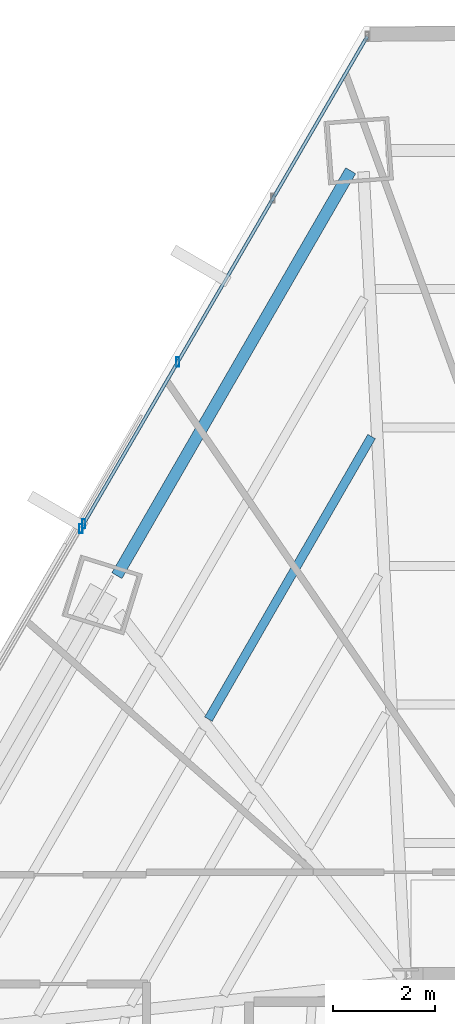
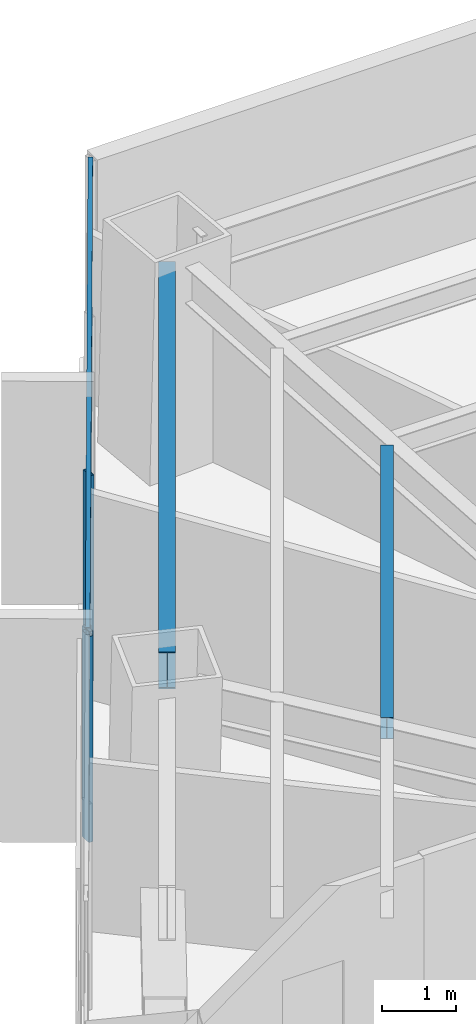
# One storey, part 24 of 36: 5 members, 2 beams, 2 elements without a shape of their own.
"""IFC4 building model written with IfcOpenShell, lengths in metres."""

from ifc_helpers import new_model, si_unit, direction, frame, origin, origin_2d, place, context, subcontext, project, spatial, hollow_rectangle, i_section, extrude, source, transform, mapped, material, material_profile, profile_set, type_object, type_shapes, element, aggregate, save


model = new_model("IFC4")

# Units and contexts
model_context = context("Model", 3, precision=1e-05, world=origin(), true_north=direction((0.0, 1.0)))
body_context = subcontext(model_context, "Body", "Model", "MODEL_VIEW")
ifc_project = project(units=[si_unit("LENGTHUNIT", "METRE"), si_unit("AREAUNIT", "SQUARE_METRE"), si_unit("VOLUMEUNIT", "CUBIC_METRE"), si_unit("PLANEANGLEUNIT", "RADIAN"), si_unit("MASSUNIT", "GRAM", prefix="KILO")], contexts=[model_context])

# Site, building, storey
site_placement = place(None, origin())
site = spatial("IfcSite", under=ifc_project, at=site_placement, CompositionType="ELEMENT")
building_placement = place(site_placement, origin())
building = spatial("IfcBuilding", under=site, at=building_placement, Name="Caelisora Broadcast Tower", CompositionType="ELEMENT")
storey_placement = place(building_placement, frame((0.0, 0.0, 64.10009765625)))
storey = spatial("IfcBuildingStorey", under=building, at=storey_placement, Name="L16", CompositionType="ELEMENT", Elevation=64.10009765625)

# Beams
ifc_material_1 = material(Name="Steel Grade 350 (AS/NZS 3679.1)", Category="steel")
ifc_material_profile_1 = material_profile(ifc_material_1, i_section(OverallWidth=0.22900390625, OverallDepth=0.611572265625, WebThickness=0.011962890625, FlangeThickness=0.01953125, at=origin_2d()), Name="Steel Grade 350 (AS/NZS 3679.1)")
ifc_profile_set_1 = profile_set([ifc_material_profile_1], Name="Steel Grade 350 (AS/NZS 3679.1)")
beam_type_1 = type_object("IfcBeamType", Name="PG03", PredefinedType="BEAM", material=ifc_profile_set_1)
shared_shape_1 = source(origin(), body_context, "Body", "SweptSolid", [
    extrude(i_section(OverallWidth=0.22900390625, OverallDepth=0.611572265625, WebThickness=0.011962890625, FlangeThickness=0.01953125, at=origin_2d()), origin(), (0.0, 0.0, 1.0), 9.1953125),
])
type_shapes(beam_type_1, [shared_shape_1])
beam_1_placement = place(storey_placement, frame((29.41748046875, 45.9443359375, 3.093994140625), z_axis=(-0.499999779356, -0.866025531173, 0.0), x_axis=(0.866025531173, -0.499999779356, 0.0)))
element("IfcBeam", 1, at=beam_1_placement, inside=storey, type_object=beam_type_1, Name="L16 beam PG03", PredefinedType="BEAM", context=body_context, shape_type="MappedRepresentation", body=[
    mapped(shared_shape_1, transform((0.0, 0.0, 0.0), scale=1.0)),
])
ifc_material_profile_2 = material_profile(ifc_material_1, i_section(OverallWidth=0.172119140625, OverallDepth=0.358642578125, WebThickness=0.008056640625, FlangeThickness=0.012939453125, at=origin_2d()), Name="Steel Grade 350 (AS/NZS 3679.1)")
ifc_profile_set_2 = profile_set([ifc_material_profile_2], Name="Steel Grade 350 (AS/NZS 3679.1)")
beam_type_2 = type_object("IfcBeamType", Name="SB02", PredefinedType="JOIST", material=ifc_profile_set_2)
shared_shape_2 = source(origin(), body_context, "Body", "SweptSolid", [
    extrude(i_section(OverallWidth=0.172119140625, OverallDepth=0.358642578125, WebThickness=0.008056640625, FlangeThickness=0.012939453125, at=origin_2d()), origin(), (0.0, 0.0, 1.0), 6.417236328125),
])
type_shapes(beam_type_2, [shared_shape_2])
beam_2_placement = place(storey_placement, frame((29.82861328125, 40.71630859375, 3.220703125), z_axis=(-0.500022136814, -0.866012622712, 0.0), x_axis=(0.866012622712, -0.500022136814, 0.0)))
element("IfcBeam", 2, at=beam_2_placement, inside=storey, type_object=beam_type_2, Name="L16 beam SB02", PredefinedType="JOIST", context=body_context, shape_type="MappedRepresentation", body=[
    mapped(shared_shape_2, transform((0.0, 0.0, 0.0), scale=1.0)),
])

# Curtain wall, member
ifc_material_2 = material(Name="Unitised Aluminium Insulated Shadow-Box Spandrel Curtain Wall", Category="aluminium")
curtain_wall_type_1 = type_object("IfcCurtainWallType", Name="CW-SP1", PredefinedType="NOTDEFINED", material=ifc_material_2)
curtain_wall_1_placement = place(storey_placement, origin())
curtain_wall_1 = element("IfcCurtainWall", 3, at=curtain_wall_1_placement, inside=storey, type_object=curtain_wall_type_1, Name="L16 curtain wall CW-SP1", PredefinedType="NOTDEFINED")
ifc_material_3 = material(Name="Aluminium 6063-T6 Anodised Terracotta Bronze", Category="aluminium")
ifc_material_profile_3 = material_profile(ifc_material_3, hollow_rectangle(XDim=0.06494140625, YDim=0.179931640625, WallThickness=0.00341796875, at=origin_2d()), Name="Aluminium 6063-T6 Anodised Terracotta Bronze")
ifc_profile_set_3 = profile_set([ifc_material_profile_3], Name="Aluminium 6063-T6 Anodised Terracotta Bronze")
member_type_1 = type_object("IfcMemberType", Name="CWM-02", PredefinedType="MULLION", material=ifc_profile_set_3)
shared_shape_3 = source(origin(), body_context, "Body", "SweptSolid", [
    extrude(hollow_rectangle(XDim=0.06494140625, YDim=0.179931640625, WallThickness=0.00341796875, at=origin_2d()), origin(), (0.0, 0.0, 1.0), 3.39990234375),
])
type_shapes(member_type_1, [shared_shape_3])
member_1_placement = place(storey_placement, frame((24.111572265625, 38.906005859375, 0.0), z_axis=(0.0, 0.0, 1.0), x_axis=(1.0, 0.0, 0.0)))
member_1 = element("IfcMember", 4, at=member_1_placement, type_object=member_type_1, Name="L16-CW-B10 mullion #3", PredefinedType="MULLION", context=body_context, shape_type="MappedRepresentation", body=[
    mapped(shared_shape_3, transform((0.0, 0.0, 0.0), scale=1.0)),
])
aggregate(curtain_wall_1, [member_1])

# Curtain wall, members
ifc_material_4 = material(Name="Unitised Aluminium and Low-E Glass Curtain Wall", Category="glass")
curtain_wall_type_2 = type_object("IfcCurtainWallType", Name="CW-Z1", PredefinedType="NOTDEFINED", material=ifc_material_4)
curtain_wall_2_placement = place(storey_placement, origin())
curtain_wall_2 = element("IfcCurtainWall", 5, at=curtain_wall_2_placement, inside=storey, type_object=curtain_wall_type_2, Name="L16 curtain wall CW-Z1", PredefinedType="NOTDEFINED")
member_2_placement = place(storey_placement, frame((24.166748046875, 39.0009765625, 0.0), z_axis=(0.0, 0.0, 1.0), x_axis=(1.0, 0.0, 0.0)))
member_2 = element("IfcMember", 6, at=member_2_placement, type_object=member_type_1, Name="L16-CW-B11 mullion #0", PredefinedType="MULLION", context=body_context, shape_type="MappedRepresentation", body=[
    mapped(shared_shape_3, transform((0.0, 0.0, 0.0), scale=1.0)),
])
member_3_placement = place(storey_placement, frame((26.01708984375, 42.18115234375, 0.0), z_axis=(0.0, 0.0, 1.0), x_axis=(1.0, 0.0, 0.0)))
member_3 = element("IfcMember", 7, at=member_3_placement, type_object=member_type_1, Name="L16-CW-B11 mullion #1", PredefinedType="MULLION", context=body_context, shape_type="MappedRepresentation", body=[
    mapped(shared_shape_3, transform((0.0, 0.0, 0.0), scale=1.0)),
])
ifc_material_profile_4 = material_profile(ifc_material_3, hollow_rectangle(XDim=0.06494140625, YDim=0.179931640625, WallThickness=0.00341796875, at=origin_2d()), Name="Aluminium 6063-T6 Anodised Terracotta Bronze")
ifc_profile_set_4 = profile_set([ifc_material_profile_4], Name="Aluminium 6063-T6 Anodised Terracotta Bronze")
member_type_2 = type_object("IfcMemberType", Name="CWT-01", PredefinedType="USERDEFINED", material=ifc_profile_set_4)
shared_shape_4 = source(origin(), body_context, "Body", "SweptSolid", [
    extrude(hollow_rectangle(XDim=0.06494140625, YDim=0.179931640625, WallThickness=0.00341796875, at=origin_2d()), origin(), (0.0, 0.0, 1.0), 11.087890625),
])
type_shapes(member_type_2, [shared_shape_4])
member_4_placement = place(storey_placement, frame((24.166748046875, 39.0009765625, 0.849853515625), z_axis=(0.502905541948, 0.864341376933, 0.0), x_axis=(-0.864341376933, 0.502905541948, 0.0)))
member_4 = element("IfcMember", 8, at=member_4_placement, type_object=member_type_2, Name="L16-CW-B11 transom #1", ObjectType="TRANSOM", PredefinedType="USERDEFINED", context=body_context, shape_type="MappedRepresentation", body=[
    mapped(shared_shape_4, transform((0.0, 0.0, 0.0), scale=1.0)),
])
member_5_placement = place(storey_placement, frame((24.166748046875, 39.0009765625, 3.31982421875), z_axis=(0.502905541948, 0.864341376933, 0.0), x_axis=(-0.864341376933, 0.502905541948, 0.0)))
member_5 = element("IfcMember", 9, at=member_5_placement, type_object=member_type_2, Name="L16-CW-B11 transom #2", ObjectType="TRANSOM", PredefinedType="USERDEFINED", context=body_context, shape_type="MappedRepresentation", body=[
    mapped(shared_shape_4, transform((0.0, 0.0, 0.0), scale=1.0)),
])
aggregate(curtain_wall_2, [member_2, member_3, member_4, member_5])

save(model, "model.ifc")
